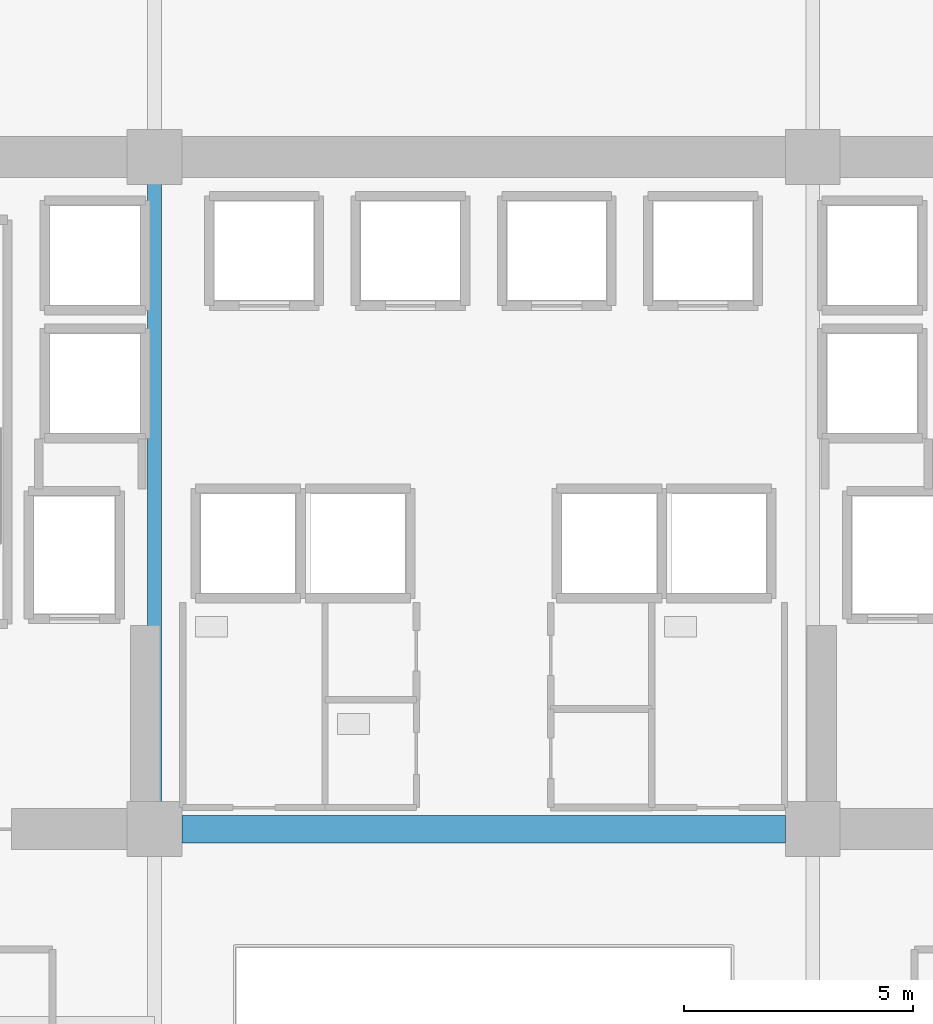
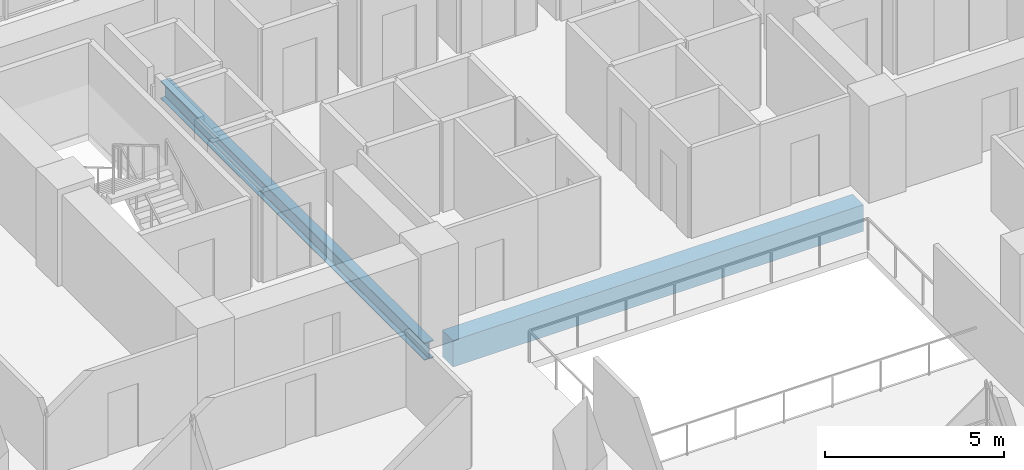
# One storey, part 8 of 31: 2 beams.
"""IFC4 building model written with IfcOpenShell, lengths in metres."""

from ifc_helpers import new_model, si_unit, direction, frame, origin, origin_2d, place, context, subcontext, project, spatial, rectangle, i_section, extrude, material, material_profile, profile_set, type_object, element, save


model = new_model("IFC4")

# Units and contexts
model_context = context("Model", 3, precision=1e-05, world=origin(), true_north=direction((0.0, 1.0)))
body_context = subcontext(model_context, "Body", "Model", "MODEL_VIEW")
ifc_project = project(units=[si_unit("LENGTHUNIT", "METRE"), si_unit("AREAUNIT", "SQUARE_METRE"), si_unit("VOLUMEUNIT", "CUBIC_METRE"), si_unit("PLANEANGLEUNIT", "RADIAN"), si_unit("MASSUNIT", "GRAM", prefix="KILO")], contexts=[model_context])

# Site, building, storey
site_placement = place(None, origin())
site = spatial("IfcSite", under=ifc_project, at=site_placement, CompositionType="ELEMENT")
building_placement = place(site_placement, origin())
building = spatial("IfcBuilding", under=site, at=building_placement, Name="Zarnakvel Exchange Tower", CompositionType="ELEMENT")
storey_placement = place(building_placement, frame((0.0, 0.0, 67.0)))
storey = spatial("IfcBuildingStorey", under=building, at=storey_placement, Name="L18", CompositionType="ELEMENT", Elevation=67.0)

# Beams
ifc_material_1 = material(Name="Concrete C80/95", Category="concrete")
ifc_material_profile_1 = material_profile(ifc_material_1, rectangle(XDim=0.60009765625, YDim=0.89990234375, at=origin_2d()))
ifc_profile_set_1 = profile_set([ifc_material_profile_1], Name="Concrete C80/95")
beam_type_1 = type_object("IfcBeamType", Name="CB-01", PredefinedType="LINTEL", material=ifc_profile_set_1)
beam_1_placement = place(storey_placement, frame((-6.60009765625, -1.199951171875, -0.675048828125), z_axis=(1.0, 0.0, 0.0), x_axis=(0.0, 1.0, 0.0)))
element("IfcBeam", 1, at=beam_1_placement, inside=storey, type_object=beam_type_1, Name="L18 Rear Core South Coupling Beam (CB-01)", PredefinedType="LINTEL", context=body_context, shape_type="SweptSolid", body=[
    extrude(rectangle(XDim=0.60009765625, YDim=0.89990234375, at=origin_2d()), origin(), (0.0, 0.0, 1.0), 13.2001953125),
])
ifc_material_2 = material(Name="Steel S355", Category="steel")
ifc_material_profile_2 = material_profile(ifc_material_2, i_section(OverallWidth=0.300048828125, OverallDepth=0.60009765625, WebThickness=0.015380859375, FlangeThickness=0.030029296875, FilletRadius=0.027099609375, at=origin_2d()))
ifc_profile_set_2 = profile_set([ifc_material_profile_2], Name="Steel S355")
beam_type_2 = type_object("IfcBeamType", Name="G-04", PredefinedType="BEAM", material=ifc_profile_set_2)
beam_2_placement = place(storey_placement, frame((-7.199951171875, -1.199951171875, -0.52490234375), z_axis=(0.0, 1.0, 0.0), x_axis=(-1.0, 0.0, 0.0)))
element("IfcBeam", 2, at=beam_2_placement, inside=storey, type_object=beam_type_2, Name="L18 Tower N-S Frame Beam", PredefinedType="BEAM", context=body_context, shape_type="SweptSolid", body=[
    extrude(i_section(OverallWidth=0.300048828125, OverallDepth=0.60009765625, WebThickness=0.015380859375, FlangeThickness=0.030029296875, FilletRadius=0.027099609375, at=origin_2d()), origin(), (0.0, 0.0, 1.0), 14.699951171875),
])

save(model, "model.ifc")
